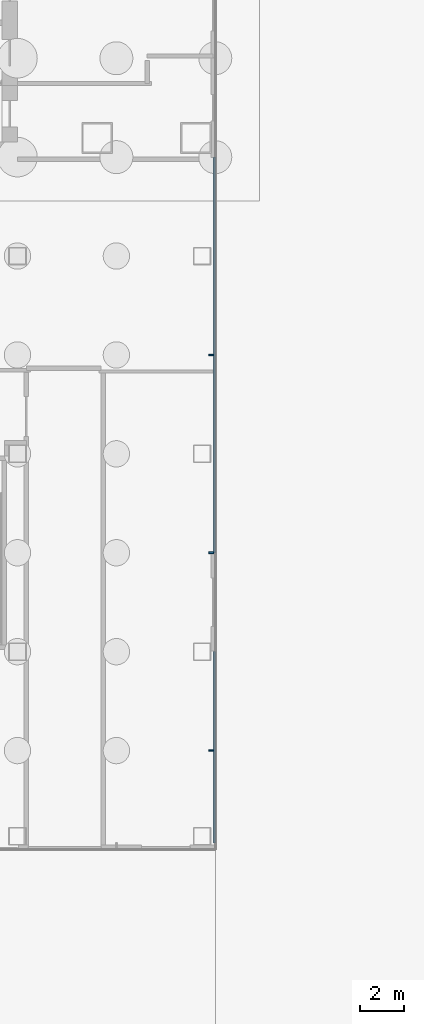
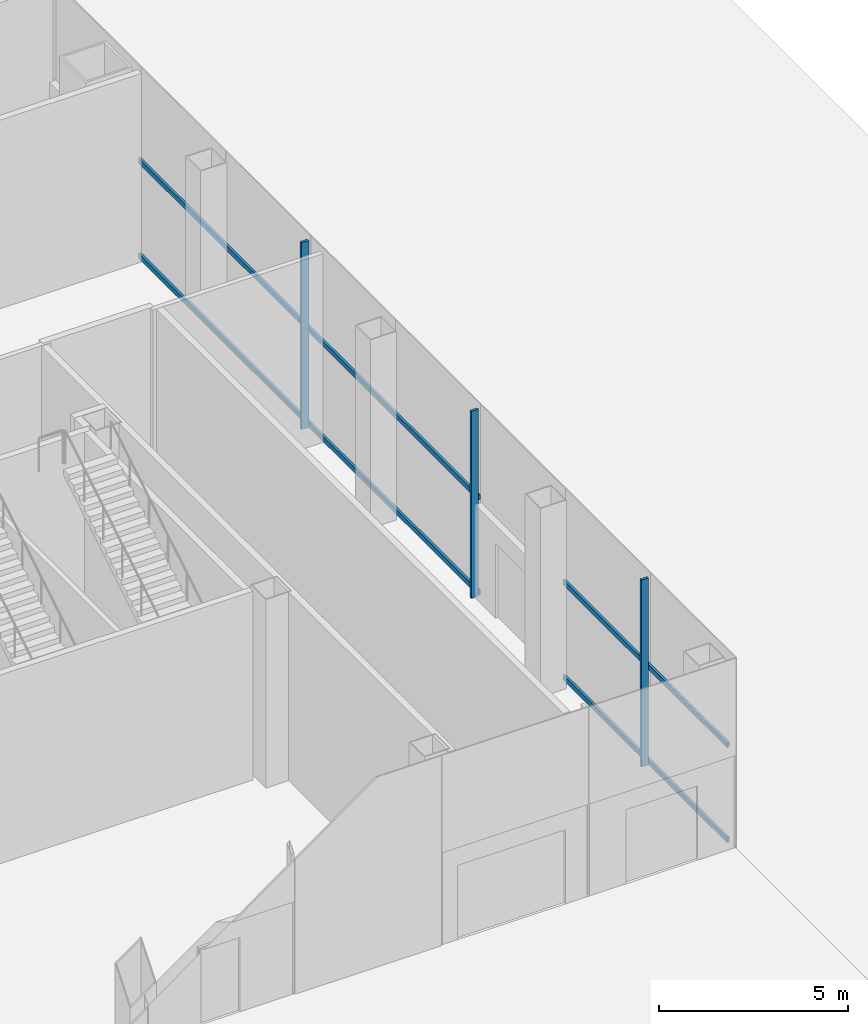
# One storey, part 13 of 37: 7 members, 1 element without a shape of its own.
"""IFC4 building model written with IfcOpenShell, lengths in metres."""

from ifc_helpers import new_model, si_unit, direction, frame, origin, origin_2d, place, context, subcontext, project, spatial, rectangle, extrude, material, layer, layer_set, material_profile, profile_set, type_object, element, aggregate, save


model = new_model("IFC4")

# Units and contexts
model_context = context("Model", 3, precision=1e-05, world=origin(), true_north=direction((0.0, 1.0)))
body_context = subcontext(model_context, "Body", "Model", "MODEL_VIEW")
ifc_project = project(units=[si_unit("LENGTHUNIT", "METRE"), si_unit("AREAUNIT", "SQUARE_METRE"), si_unit("VOLUMEUNIT", "CUBIC_METRE"), si_unit("PLANEANGLEUNIT", "RADIAN"), si_unit("MASSUNIT", "GRAM", prefix="KILO")], contexts=[model_context])

# Site, building, storey
site_placement = place(None, origin())
site = spatial("IfcSite", under=ifc_project, at=site_placement, CompositionType="ELEMENT")
building_placement = place(site_placement, origin())
building = spatial("IfcBuilding", under=site, at=building_placement, Name="Shamsa Quay Exchange Towers", CompositionType="ELEMENT")
storey_placement = place(building_placement, origin())
storey = spatial("IfcBuildingStorey", under=building, at=storey_placement, Name="L00", CompositionType="ELEMENT", Elevation=0.0)

# Curtain wall, members
ifc_material = material(Name="Aluminium EN AW-6063 T6, black anodised", Category="aluminium")
ifc_layer = layer(ifc_material, 0.33203125)
ifc_layer_set = layer_set([ifc_layer], Name="CW-3 PODIUM SHOPFRONT GLAZING")
curtain_wall_type = type_object("IfcCurtainWallType", Name="CW-3 PODIUM SHOPFRONT GLAZING", PredefinedType="NOTDEFINED", material=ifc_layer_set)
curtain_wall_placement = place(storey_placement, origin())
curtain_wall = element("IfcCurtainWall", 1, at=curtain_wall_placement, inside=storey, type_object=curtain_wall_type, Name="CW3 PODIUM-L00-F00", PredefinedType="NOTDEFINED")
ifc_material_profile_1 = material_profile(ifc_material, rectangle(XDim=0.219970703125, YDim=0.080078125, at=origin_2d()), Name="MU80x220")
ifc_profile_set_1 = profile_set([ifc_material_profile_1], Name="Aluminium EN AW-6063 T6, black anodised")
member_type_1 = type_object("IfcMemberType", Name="CW3 MULLION 80x220", PredefinedType="MULLION", material=ifc_profile_set_1)
member_1_placement = place(storey_placement, frame((62.81005859375, -33.75, 0.0), z_axis=(0.0, 0.0, 1.0), x_axis=(-1.0, 0.0, 0.0)))
member_1 = element("IfcMember", 2, at=member_1_placement, type_object=member_type_1, Name="CW3 mullion", PredefinedType="MULLION", context=body_context, shape_type="SweptSolid", body=[
    extrude(rectangle(XDim=0.219970703125, YDim=0.080078125, at=origin_2d()), origin(), (0.0, 0.0, 1.0), 6.050048828125),
])
member_2_placement = place(storey_placement, frame((62.81005859375, -24.75, 0.0), z_axis=(0.0, 0.0, 1.0), x_axis=(-1.0, 0.0, 0.0)))
member_2 = element("IfcMember", 3, at=member_2_placement, type_object=member_type_1, Name="CW3 mullion", PredefinedType="MULLION", context=body_context, shape_type="SweptSolid", body=[
    extrude(rectangle(XDim=0.219970703125, YDim=0.080078125, at=origin_2d()), origin(), (0.0, 0.0, 1.0), 6.050048828125),
])
member_3_placement = place(storey_placement, frame((62.81005859375, -15.75, 0.0), z_axis=(0.0, 0.0, 1.0), x_axis=(-1.0, 0.0, 0.0)))
member_3 = element("IfcMember", 4, at=member_3_placement, type_object=member_type_1, Name="CW3 mullion", PredefinedType="MULLION", context=body_context, shape_type="SweptSolid", body=[
    extrude(rectangle(XDim=0.219970703125, YDim=0.080078125, at=origin_2d()), origin(), (0.0, 0.0, 1.0), 6.050048828125),
])
ifc_material_profile_2 = material_profile(ifc_material, rectangle(XDim=0.080078125, YDim=0.159912109375, at=origin_2d()), Name="TR160x80")
ifc_profile_set_2 = profile_set([ifc_material_profile_2], Name="Aluminium EN AW-6063 T6, black anodised")
member_type_2 = type_object("IfcMemberType", Name="CW3 TRANSOM 160x80", PredefinedType="USERDEFINED", material=ifc_profile_set_2)
member_4_placement = place(storey_placement, frame((62.9599609375, -37.947998046875, 0.080078125), z_axis=(0.0, 1.0, 0.0), x_axis=(-1.0, 0.0, 0.0)))
member_4 = element("IfcMember", 5, at=member_4_placement, type_object=member_type_2, Name="CW3 transom", ObjectType="TRANSOM", PredefinedType="USERDEFINED", context=body_context, shape_type="SweptSolid", body=[
    extrude(rectangle(XDim=0.080078125, YDim=0.159912109375, at=origin_2d()), origin(), (0.0, 0.0, 1.0), 8.697998046875),
])
member_5_placement = place(storey_placement, frame((62.9599609375, -37.947998046875, 3.155029296875), z_axis=(0.0, 1.0, 0.0), x_axis=(-1.0, 0.0, 0.0)))
member_5 = element("IfcMember", 6, at=member_5_placement, type_object=member_type_2, Name="CW3 transom", ObjectType="TRANSOM", PredefinedType="USERDEFINED", context=body_context, shape_type="SweptSolid", body=[
    extrude(rectangle(XDim=0.080078125, YDim=0.159912109375, at=origin_2d()), origin(), (0.0, 0.0, 1.0), 8.697998046875),
])
member_6_placement = place(storey_placement, frame((62.9599609375, -24.75, 0.080078125), z_axis=(0.0, 1.0, 0.0), x_axis=(-1.0, 0.0, 0.0)))
member_6 = element("IfcMember", 7, at=member_6_placement, type_object=member_type_2, Name="CW3 transom", ObjectType="TRANSOM", PredefinedType="USERDEFINED", context=body_context, shape_type="SweptSolid", body=[
    extrude(rectangle(XDim=0.080078125, YDim=0.159912109375, at=origin_2d()), origin(), (0.0, 0.0, 1.0), 18.0),
])
member_7_placement = place(storey_placement, frame((62.9599609375, -24.75, 3.155029296875), z_axis=(0.0, 1.0, 0.0), x_axis=(-1.0, 0.0, 0.0)))
member_7 = element("IfcMember", 8, at=member_7_placement, type_object=member_type_2, Name="CW3 transom", ObjectType="TRANSOM", PredefinedType="USERDEFINED", context=body_context, shape_type="SweptSolid", body=[
    extrude(rectangle(XDim=0.080078125, YDim=0.159912109375, at=origin_2d()), origin(), (0.0, 0.0, 1.0), 18.0),
])
aggregate(curtain_wall, [member_4, member_5, member_6, member_7, member_1, member_2, member_3])

save(model, "model.ifc")
